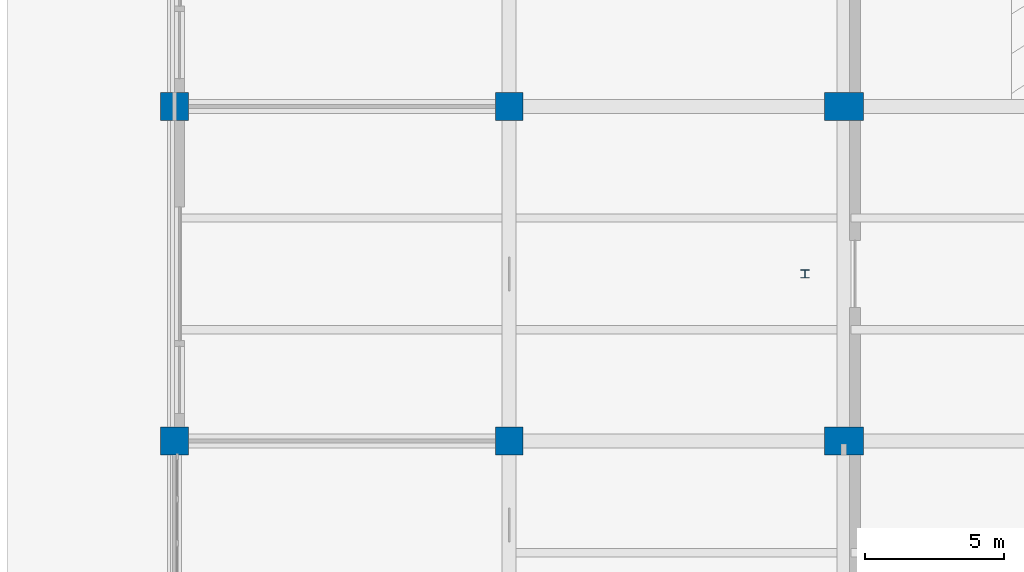
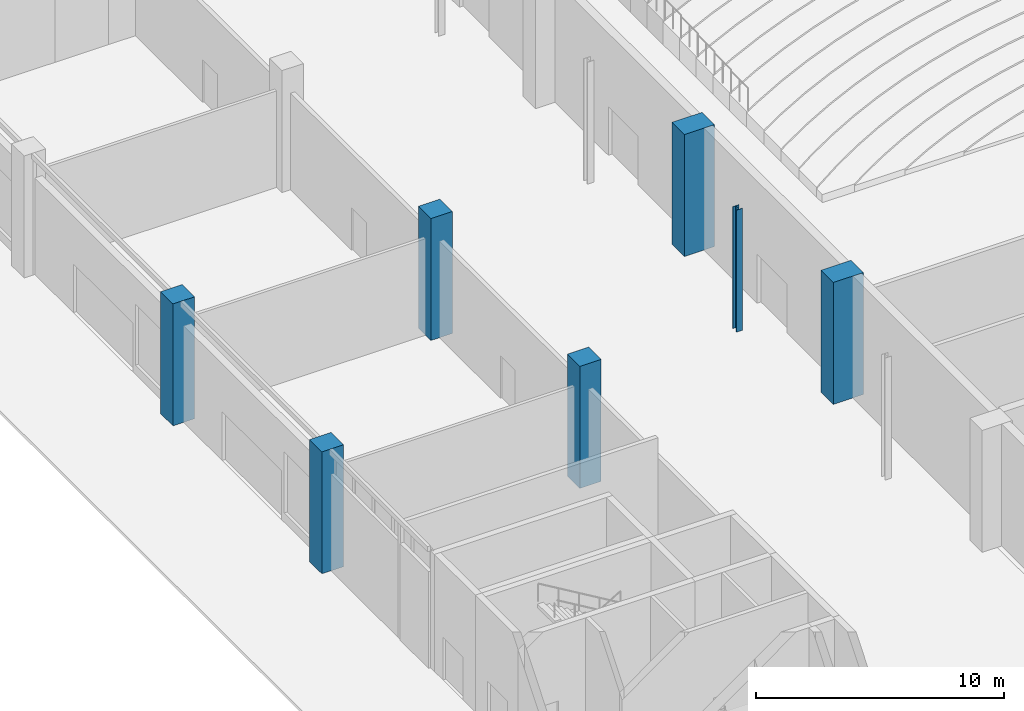
# One storey, part 6 of 59: 7 columns.
"""IFC4 building model written with IfcOpenShell, lengths in metres."""

from ifc_helpers import new_model, si_unit, direction, frame, origin, origin_2d, place, context, subcontext, project, spatial, rectangle, i_section, extrude, material, material_profile, profile_set, type_object, element, save


model = new_model("IFC4")

# Units and contexts
model_context = context("Model", 3, precision=1e-05, world=origin(), true_north=direction((0.0, 1.0)))
body_context = subcontext(model_context, "Body", "Model", "MODEL_VIEW")
ifc_project = project(units=[si_unit("LENGTHUNIT", "METRE"), si_unit("AREAUNIT", "SQUARE_METRE"), si_unit("VOLUMEUNIT", "CUBIC_METRE"), si_unit("PLANEANGLEUNIT", "RADIAN"), si_unit("MASSUNIT", "GRAM", prefix="KILO")], contexts=[model_context])

# Site, building, storey
site_placement = place(None, origin())
site = spatial("IfcSite", under=ifc_project, at=site_placement, CompositionType="ELEMENT")
building_placement = place(site_placement, origin())
building = spatial("IfcBuilding", under=site, at=building_placement, Name="Lilac Gate Convention Centre", CompositionType="ELEMENT")
storey_placement = place(building_placement, origin())
storey = spatial("IfcBuildingStorey", under=building, at=storey_placement, Name="L00", CompositionType="ELEMENT", Elevation=0.0)

# Columns
ifc_material_1 = material(Name="Concrete C40", Category="concrete")
ifc_material_profile_1 = material_profile(ifc_material_1, rectangle(XDim=1.0, YDim=1.0, at=origin_2d()), Name="RC 1000x1000")
ifc_profile_set_1 = profile_set([ifc_material_profile_1], Name="Concrete C40")
column_type_1 = type_object("IfcColumnType", Name="RC column 1000x1000 C40", PredefinedType="COLUMN", material=ifc_profile_set_1)
for number, where, z_axis, x_axis, name in (
    (1, (6.0, 114.0, 0.0), (0.0, 0.0, 1.0), (1.0, 0.0, 0.0), "C1 L00 at 1/H"),
    (2, (6.0, 126.0, 0.0), (0.0, 0.0, 1.0), (1.0, 0.0, 0.0), "C1 L00 at 1/J"),
    (3, (18.0, 114.0, 0.0), (0.0, 0.0, 1.0), (1.0, 0.0, 0.0), "C1 L00 at 2/H"),
    (4, (18.0, 126.0, 0.0), (0.0, 0.0, 1.0), (1.0, 0.0, 0.0), "C1 L00 at 2/J"),
):
    element("IfcColumn", number, at=place(storey_placement, frame(where, z_axis=z_axis, x_axis=x_axis)), inside=storey, type_object=column_type_1, Name=name, PredefinedType="COLUMN", context=body_context, shape_type="SweptSolid", body=[
        extrude(rectangle(XDim=1.0, YDim=1.0, at=origin_2d()), origin(), (0.0, 0.0, 1.0), 6.0),
    ])
ifc_material_profile_2 = material_profile(ifc_material_1, rectangle(XDim=1.39990234375, YDim=1.0, at=origin_2d()), Name="RC 1400x1000")
ifc_profile_set_2 = profile_set([ifc_material_profile_2], Name="Concrete C40")
column_type_2 = type_object("IfcColumnType", Name="RC hall column 1400x1000 C40", PredefinedType="COLUMN", material=ifc_profile_set_2)
for number, where, z_axis, x_axis, name in (
    (5, (30.0, 114.0, 0.0), (0.0, 0.0, 1.0), (1.0, 0.0, 0.0), "C2 L00 at 3/H"),
    (6, (30.0, 126.0, 0.0), (0.0, 0.0, 1.0), (1.0, 0.0, 0.0), "C2 L00 at 3/J"),
):
    element("IfcColumn", number, at=place(storey_placement, frame(where, z_axis=z_axis, x_axis=x_axis)), inside=storey, type_object=column_type_2, Name=name, PredefinedType="COLUMN", context=body_context, shape_type="SweptSolid", body=[
        extrude(rectangle(XDim=1.39990234375, YDim=1.0, at=origin_2d()), origin(), (0.0, 0.0, 1.0), 6.0),
    ])
ifc_material_2 = material(Name="Steel Q355B", Category="steel")
ifc_material_profile_3 = material_profile(ifc_material_2, i_section(OverallWidth=0.300048828125, OverallDepth=0.300048828125, WebThickness=0.010009765625, FlangeThickness=0.014892578125, FilletRadius=0.012939453125, at=origin_2d()), Name="HW300x300x10x15")
ifc_profile_set_3 = profile_set([ifc_material_profile_3], Name="Steel Q355B")
column_type_3 = type_object("IfcColumnType", Name="Steel column HW300x300x10x15", PredefinedType="COLUMN", material=ifc_profile_set_3)
column_placement = place(storey_placement, frame((28.60009765625, 120.0, 0.0), z_axis=(0.0, 0.0, 1.0), x_axis=(1.0, 0.0, 0.0)))
element("IfcColumn", 7, at=column_placement, inside=storey, type_object=column_type_3, Name="SC1 L00 atrium column at 120", PredefinedType="COLUMN", context=body_context, shape_type="SweptSolid", body=[
    extrude(i_section(OverallWidth=0.300048828125, OverallDepth=0.300048828125, WebThickness=0.010009765625, FlangeThickness=0.014892578125, FilletRadius=0.012939453125, at=origin_2d()), origin(), (0.0, 0.0, 1.0), 6.0),
])

save(model, "model.ifc")
